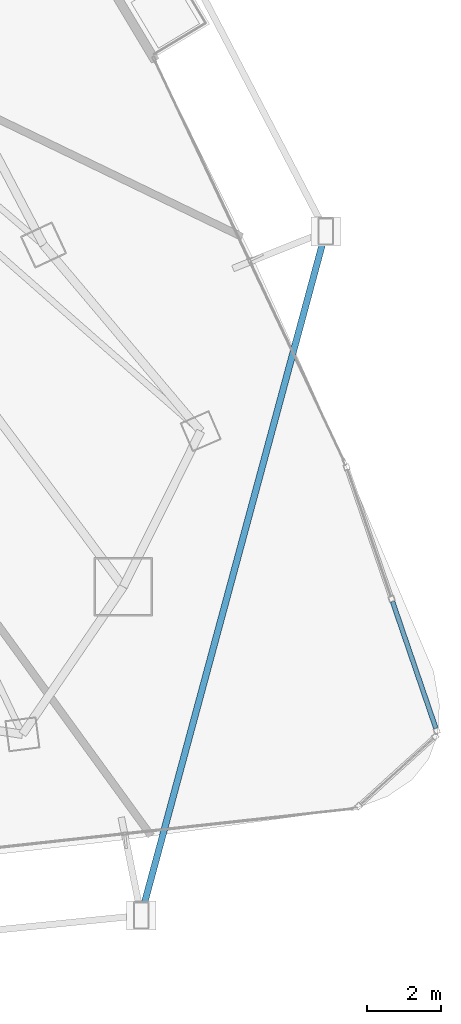
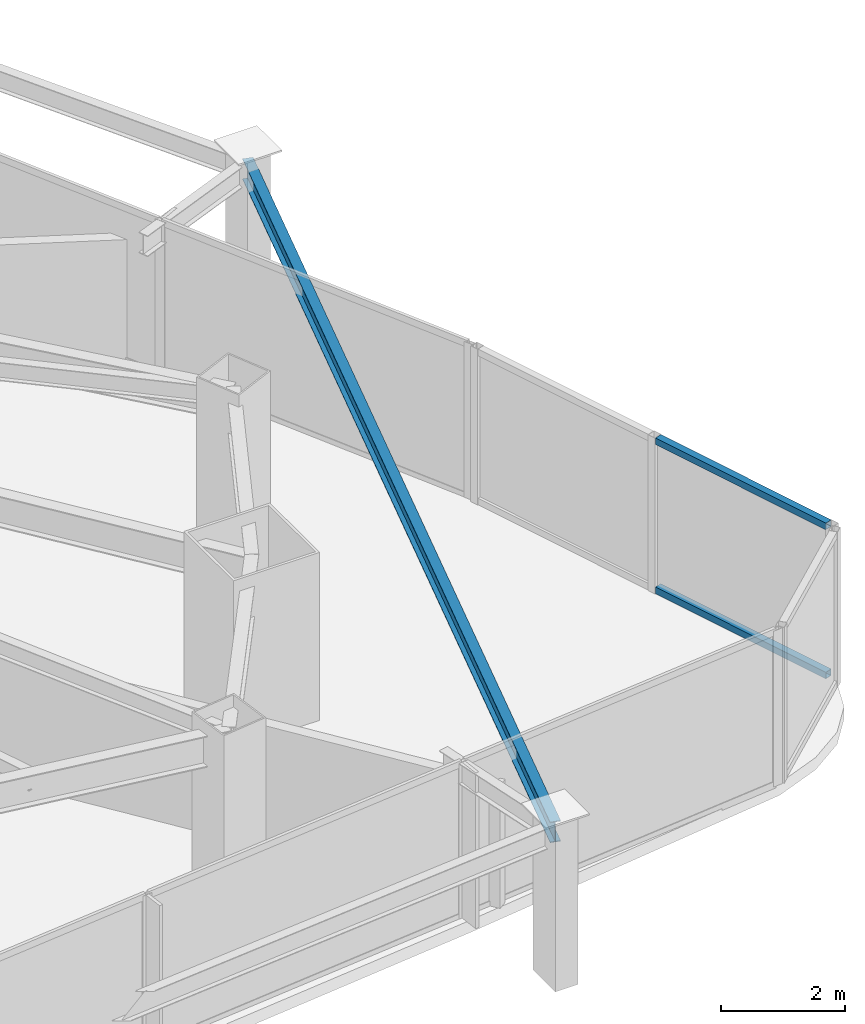
# One storey, part 16 of 33: 2 members, 1 beam, 1 element without a shape of its own.
"""IFC4 building model written with IfcOpenShell, lengths in metres."""

from ifc_helpers import new_model, si_unit, direction, frame, origin, origin_2d, place, context, subcontext, project, spatial, hollow_rectangle, i_section, extrude, material, layer, layer_set, material_profile, profile_set, type_object, element, aggregate, save


model = new_model("IFC4")

# Units and contexts
model_context = context("Model", 3, precision=1e-05, world=origin(), true_north=direction((0.0, 1.0)))
body_context = subcontext(model_context, "Body", "Model", "MODEL_VIEW")
ifc_project = project(units=[si_unit("LENGTHUNIT", "METRE"), si_unit("AREAUNIT", "SQUARE_METRE"), si_unit("VOLUMEUNIT", "CUBIC_METRE"), si_unit("PLANEANGLEUNIT", "RADIAN"), si_unit("MASSUNIT", "GRAM", prefix="KILO")], contexts=[model_context])

# Site, building, storey
site_placement = place(None, origin())
site = spatial("IfcSite", under=ifc_project, at=site_placement, CompositionType="ELEMENT")
building_placement = place(site_placement, origin())
building = spatial("IfcBuilding", under=site, at=building_placement, Name="Orvanel Arch Residences", CompositionType="ELEMENT")
storey_placement = place(building_placement, frame((0.0, 0.0, 87.35009765625)))
storey = spatial("IfcBuildingStorey", under=building, at=storey_placement, Name="L24", CompositionType="ELEMENT", Elevation=87.35009765625)

# Beam
ifc_material_1 = material(Name="Structural steel AS/NZS 3679.1 Grade 300 (300 MPa)", Category="steel")
ifc_material_profile_1 = material_profile(ifc_material_1, i_section(OverallWidth=0.177978515625, OverallDepth=0.406005859375, WebThickness=0.0078125, FlangeThickness=0.0126953125, at=origin_2d()), Name="410UB59.7")
ifc_profile_set_1 = profile_set([ifc_material_profile_1], Name="Structural steel AS/NZS 3679.1 Grade 300 (300 MPa)")
beam_type = type_object("IfcBeamType", Name="OB-410UB-EXT", PredefinedType="SPANDREL", material=ifc_profile_set_1)
beam_placement = place(storey_placement, frame((52.284912109375, 1.4130859375, 2.85693359375), z_axis=(0.260657465034, 0.965431347079, 0.0), x_axis=(-0.965431347079, 0.260657465034, 0.0)))
element("IfcBeam", 1, at=beam_placement, inside=storey, type_object=beam_type, Name="L24 Outer Perimeter Floor Ring Beam 08", PredefinedType="SPANDREL", context=body_context, shape_type="SweptSolid", body=[
    extrude(i_section(OverallWidth=0.177978515625, OverallDepth=0.406005859375, WebThickness=0.0078125, FlangeThickness=0.0126953125, at=origin_2d()), origin(), (0.0, 0.0, 1.0), 19.2626953125),
])

# Curtain wall, members
ifc_material_2 = material(Name="Bronze-anodised aluminium AA6063-T6", Category="aluminium")
ifc_layer = layer(ifc_material_2, 0.18994140625)
ifc_layer_set = layer_set([ifc_layer], Name="Bronze-anodised aluminium AA6063-T6")
curtain_wall_type = type_object("IfcCurtainWallType", Name="CW5-CRN-SYS", PredefinedType="NOTDEFINED", material=ifc_layer_set)
curtain_wall_placement = place(storey_placement, origin())
curtain_wall = element("IfcCurtainWall", 2, at=curtain_wall_placement, inside=storey, type_object=curtain_wall_type, Name="L24 CW5-CRN-SYS Unitised Curtain Wall", PredefinedType="NOTDEFINED")
ifc_material_profile_2 = material_profile(ifc_material_2, hollow_rectangle(XDim=0.1298828125, YDim=0.1298828125, WallThickness=0.00439453125, at=origin_2d()), Name="ALU130x130x4.5")
ifc_profile_set_2 = profile_set([ifc_material_profile_2], Name="Bronze-anodised aluminium AA6063-T6")
member_type = type_object("IfcMemberType", Name="TRN-130x130", PredefinedType="USERDEFINED", material=ifc_profile_set_2)
member_1_placement = place(storey_placement, frame((60.298583984375, 6.5029296875, 0.06494140625), z_axis=(-0.323442733064, 0.946247746855, 0.0), x_axis=(-0.946247746855, -0.323442733064, 0.0)))
member_1 = element("IfcMember", 3, at=member_1_placement, type_object=member_type, Name="CW-S5 transom 1.1", ObjectType="TRANSOM", PredefinedType="USERDEFINED", context=body_context, shape_type="SweptSolid", body=[
    extrude(hollow_rectangle(XDim=0.1298828125, YDim=0.1298828125, WallThickness=0.00439453125, at=origin_2d()), origin(), (0.0, 0.0, 1.0), 3.6396484375),
])
member_2_placement = place(storey_placement, frame((60.298583984375, 6.5029296875, 2.994873046875), z_axis=(-0.323442733064, 0.946247746855, 0.0), x_axis=(-0.946247746855, -0.323442733064, 0.0)))
member_2 = element("IfcMember", 4, at=member_2_placement, type_object=member_type, Name="CW-S5 transom 1.2", ObjectType="TRANSOM", PredefinedType="USERDEFINED", context=body_context, shape_type="SweptSolid", body=[
    extrude(hollow_rectangle(XDim=0.1298828125, YDim=0.1298828125, WallThickness=0.00439453125, at=origin_2d()), origin(), (0.0, 0.0, 1.0), 3.6396484375),
])
aggregate(curtain_wall, [member_1, member_2])

save(model, "model.ifc")
